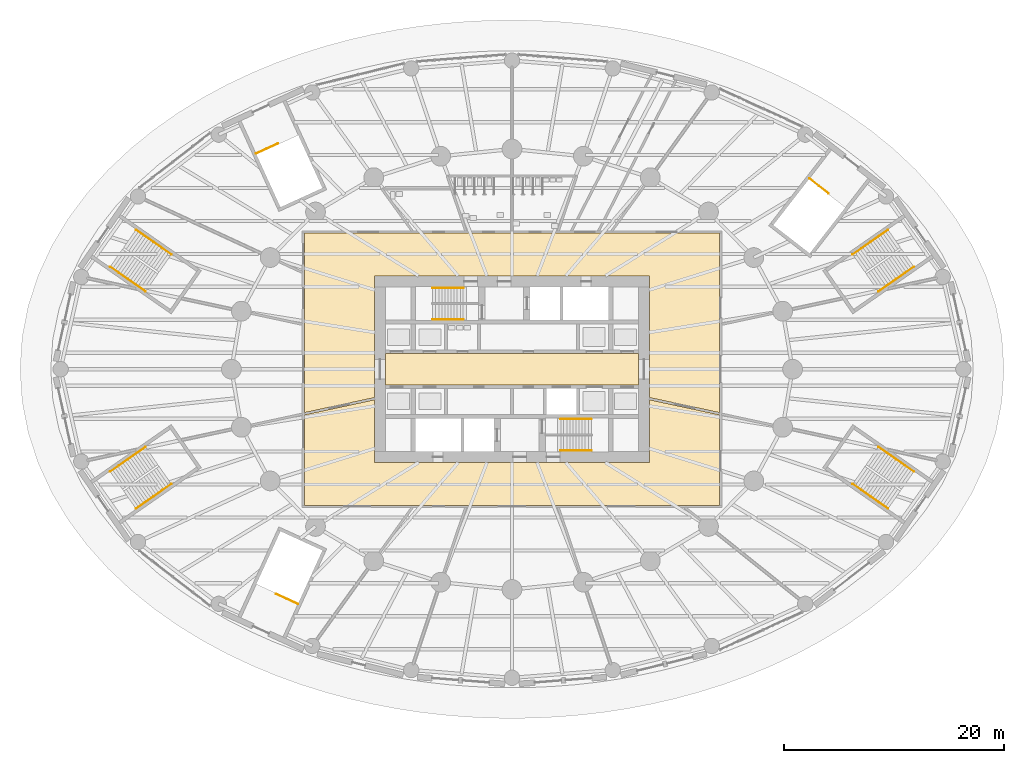
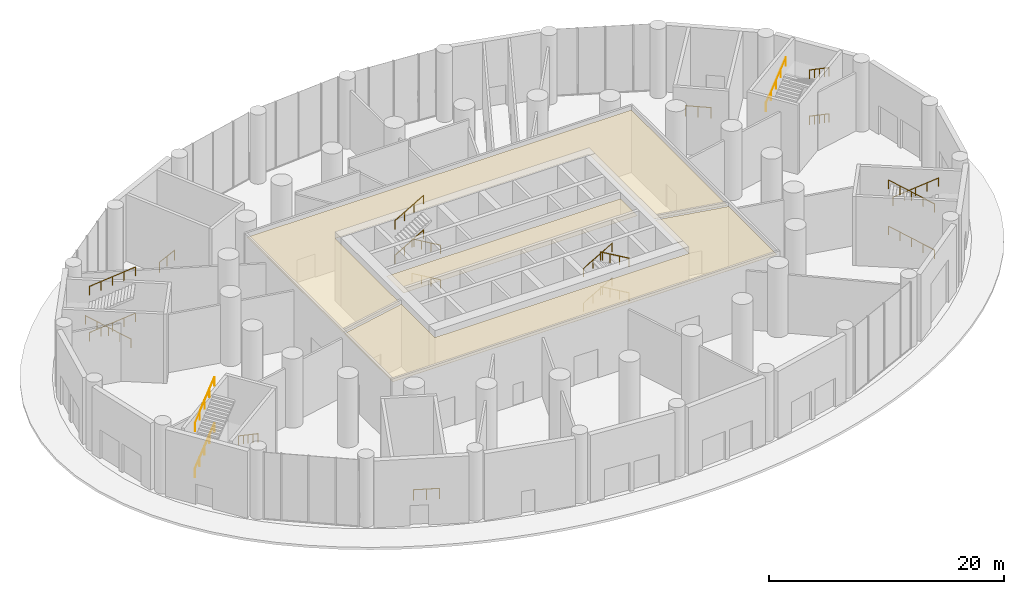
# One storey, part 19 of 22: 23 railings, 3 coverings.
"""IFC4 building model written with IfcOpenShell, lengths in metres."""

import ifcopenshell
import ifcopenshell.guid

model = None  # the IFC model being written
_history = None  # IfcOwnerHistory: only IFC2X3 demands one
_inside = {}  # id of a spatial element -> (the spatial element, [elements in it])
_under = {}  # id of a project, library or spatial element -> (it, [spatial elements below it])
_declared = {}  # id of a project -> (the project, [libraries it declares])
_typed = {}  # id of a type object -> (the type object, [elements of that type])
_made_of = {}  # id of a material, layer set ... -> (it, [elements and type objects made of it])


def new_model(schema):
    """Start an empty IFC model of exactly this schema.

    Asked for "IFC4X3", IfcOpenShell would pick the latest addendum, in which some entities
    have other attributes; the version numbers below select the first issue.
    IFC2X3 requires an IfcOwnerHistory on every rooted entity: one is made here for all.
    """
    global model, _history
    if schema == "IFC4X3":
        model = ifcopenshell.file(schema_version=(4, 3, 0, 0))
    else:
        model = ifcopenshell.file(schema=schema)
    _inside.clear()
    _under.clear()
    _declared.clear()
    _typed.clear()
    _made_of.clear()
    _history = None
    if model.schema == "IFC2X3":
        org = make("IfcOrganization", Name="unknown")
        user = make(
            "IfcPersonAndOrganization",
            ThePerson=make("IfcPerson", FamilyName="unknown"),
            TheOrganization=org,
        )
        app = make(
            "IfcApplication",
            ApplicationDeveloper=org,
            Version="unknown",
            ApplicationFullName="unknown",
            ApplicationIdentifier="unknown",
        )
        _history = make(
            "IfcOwnerHistory",
            OwningUser=user,
            OwningApplication=app,
            ChangeAction="ADDED",
            CreationDate=0,
        )
    return model


def make(cls, **values):
    """One entity of the class cls with the attributes given. An attribute that is None is left unset."""
    return model.create_entity(
        cls, **{name: value for name, value in values.items() if value is not None}
    )


def rooted(cls, **values):
    """An entity with a GlobalId (a new one), such as an element, a storey or a relation."""
    return make(cls, GlobalId=ifcopenshell.guid.new(), OwnerHistory=_history, **values)


def si_unit(unit_type, name, prefix=None):
    """IfcSIUnit, for example si_unit("LENGTHUNIT", "METRE", prefix="MILLI")."""
    return make("IfcSIUnit", UnitType=unit_type, Prefix=prefix, Name=name)


def assignment(units):
    """IfcUnitAssignment: the units of a project."""
    return None if units is None else make("IfcUnitAssignment", Units=units)


def point(xyz):
    """IfcCartesianPoint."""
    return None if xyz is None else make("IfcCartesianPoint", Coordinates=xyz)


def direction(xyz):
    """IfcDirection."""
    return None if xyz is None else make("IfcDirection", DirectionRatios=xyz)


def frame(location, z_axis=None, x_axis=None):
    """IfcAxis2Placement3D, a coordinate frame: its origin and axes. An axis left out is left unset."""
    return make(
        "IfcAxis2Placement3D",
        Location=point(location),
        Axis=direction(z_axis),
        RefDirection=direction(x_axis),
    )


def frame_2d(location, x_axis=None):
    """IfcAxis2Placement2D, a coordinate frame in the plane: its origin and x axis."""
    return make(
        "IfcAxis2Placement2D", Location=point(location), RefDirection=direction(x_axis)
    )


def origin():
    """The frame at (0, 0, 0) with its axes left unset."""
    return frame((0.0, 0.0, 0.0))


def origin_2d():
    """The frame at (0, 0) in the plane with its x axis left unset."""
    return frame_2d((0.0, 0.0))


def place(relative_to, where):
    """IfcLocalPlacement: puts the frame where relative to a parent placement (None: the world)."""
    return make(
        "IfcLocalPlacement", PlacementRelTo=relative_to, RelativePlacement=where
    )


def context(
    kind, dimensions, precision=None, world=None, true_north=None, identifier=None
):
    """IfcGeometricRepresentationContext, for example the 3D "Model" context."""
    return make(
        "IfcGeometricRepresentationContext",
        ContextIdentifier=identifier,
        ContextType=kind,
        CoordinateSpaceDimension=dimensions,
        Precision=precision,
        WorldCoordinateSystem=world,
        TrueNorth=true_north,
    )


def subcontext(parent, identifier, kind, view, scale=None):
    """IfcGeometricRepresentationSubContext, for example "Body" below "Model"."""
    return make(
        "IfcGeometricRepresentationSubContext",
        ContextIdentifier=identifier,
        ContextType=kind,
        ParentContext=parent,
        TargetScale=scale,
        TargetView=view,
    )


def project(units=None, contexts=None):
    """IfcProject with its units and contexts."""
    return rooted(
        "IfcProject",
        Name="project",
        RepresentationContexts=contexts,
        UnitsInContext=assignment(units),
    )


def spatial(cls, under=None, at=None, **own):
    """A site, building, storey or space (cls), placed at a placement, below another one or the project."""
    s = rooted(cls, ObjectPlacement=at, **own)
    if under is not None:
        _under.setdefault(under.id(), (under, []))[1].append(s)
    return s


def polyline(points):
    """IfcPolyline through the points."""
    return make("IfcPolyline", Points=[point(p) for p in points])


def profile(cls, at=None, kind="AREA", **sizes):
    """A parametric profile (cls). Its sizes go by their IFC names, for example OverallWidth=200.0."""
    return make(cls, ProfileType=kind, Position=at, **sizes)


def circle(**sizes):
    """IfcCircleProfileDef."""
    return profile("IfcCircleProfileDef", **sizes)


def outline(outer, holes=None, kind="AREA"):
    """IfcArbitraryClosedProfileDef: a profile drawn as a closed curve; with holes, ...WithVoids."""
    if holes is None:
        return make("IfcArbitraryClosedProfileDef", ProfileType=kind, OuterCurve=outer)
    return make(
        "IfcArbitraryProfileDefWithVoids",
        ProfileType=kind,
        OuterCurve=outer,
        InnerCurves=holes,
    )


def extrude(swept, where, along, depth):
    """IfcExtrudedAreaSolid: the profile swept, set in the frame where, extruded along a direction by depth."""
    return make(
        "IfcExtrudedAreaSolid",
        SweptArea=swept,
        Position=where,
        ExtrudedDirection=direction(along),
        Depth=depth,
    )


def shape(context_of_items, identifier, shape_type, items):
    """IfcShapeRepresentation: the items that make up one representation, for example the "Body"."""
    return make(
        "IfcShapeRepresentation",
        ContextOfItems=context_of_items,
        RepresentationIdentifier=identifier,
        RepresentationType=shape_type,
        Items=items,
    )


def material(Name=None, Category=None):
    """IfcMaterial."""
    return make("IfcMaterial", Name=Name, Category=Category)


def layer(
    of_material, thickness, ventilated=None, Name=None, Category=None, Priority=None
):
    """IfcMaterialLayer: one layer of a wall or slab, of a material (None: an air gap)."""
    return make(
        "IfcMaterialLayer",
        Material=of_material,
        LayerThickness=thickness,
        IsVentilated=ventilated,
        Name=Name,
        Category=Category,
        Priority=Priority,
    )


def layer_set(layers, Name=None):
    """IfcMaterialLayerSet."""
    return make("IfcMaterialLayerSet", MaterialLayers=layers, LayerSetName=Name)


def made_of(thing, what):
    """Note that an element or type object is made of a material, layer set ...; save() writes the relation."""
    if what is not None:
        _made_of.setdefault(what.id(), (what, []))[1].append(thing)
    return thing


def type_object(cls, material=None, **own):
    """A type object (cls), such as IfcWallType, which elements share."""
    return made_of(rooted(cls, **own), material)


def element(
    cls,
    number,
    at=None,
    inside=None,
    cuts=None,
    type_object=None,
    material=None,
    context=None,
    identifier="Body",
    shape_type=None,
    held_by="IfcProductDefinitionShape",
    body=None,
    shapes=None,
    **own,
):
    """One element of the class cls, such as IfcWall. Its Tag is "e" and its number.

    at: its placement. inside: the storey or other place that contains it. cuts: it is an
    opening in that element (IfcRelVoidsElement). A single representation is given by context,
    identifier, shape_type and body (its items); several are given by shapes. held_by: the class
    of the entity that holds the representations. save() writes the other relations.
    """
    e = rooted(cls, Tag="e%d" % number, ObjectPlacement=at, **own)
    if body is not None:
        shapes = [shape(context, identifier, shape_type, body)]
    if shapes is not None:
        e.Representation = make(held_by, Representations=shapes)
    if inside is not None:
        _inside.setdefault(inside.id(), (inside, []))[1].append(e)
    if cuts is not None:
        rooted(
            "IfcRelVoidsElement", RelatingBuildingElement=cuts, RelatedOpeningElement=e
        )
    if type_object is not None:
        _typed.setdefault(type_object.id(), (type_object, []))[1].append(e)
    return made_of(e, material)


def aggregate(whole, parts):
    """IfcRelAggregates: a whole, such as a stair, and the parts it consists of."""
    return rooted("IfcRelAggregates", RelatingObject=whole, RelatedObjects=parts)


def save(model, path):
    """Write the relations noted so far, then the file.

    IfcRelAggregates (storeys below a building ...), IfcRelContainedInSpatialStructure (elements
    in a storey), IfcRelDefinesByType, IfcRelAssociatesMaterial and IfcRelDeclares: one each for
    every whole, place, type object, material and project.
    """
    for whole, parts in _under.values():
        aggregate(whole, parts)
    for where, things in _inside.values():
        rooted(
            "IfcRelContainedInSpatialStructure",
            RelatedElements=things,
            RelatingStructure=where,
        )
    for kind, things in _typed.values():
        rooted("IfcRelDefinesByType", RelatedObjects=things, RelatingType=kind)
    for what, things in _made_of.values():
        rooted("IfcRelAssociatesMaterial", RelatedObjects=things, RelatingMaterial=what)
    for by, libraries in _declared.values():
        rooted("IfcRelDeclares", RelatingContext=by, RelatedDefinitions=libraries)
    model.write(path)


model = new_model("IFC4")

# Units and contexts
model_context = context("Model", 3, precision=1e-05, world=origin(), true_north=direction((0.0, 1.0)))
body_context = subcontext(model_context, "Body", "Model", "MODEL_VIEW")
ifc_project = project(units=[si_unit("LENGTHUNIT", "METRE"), si_unit("AREAUNIT", "SQUARE_METRE"), si_unit("VOLUMEUNIT", "CUBIC_METRE"), si_unit("PLANEANGLEUNIT", "RADIAN"), si_unit("MASSUNIT", "GRAM", prefix="KILO")], contexts=[model_context])

# Site, building, storey
site_placement = place(None, origin())
site = spatial("IfcSite", under=ifc_project, at=site_placement, CompositionType="ELEMENT")
building_placement = place(site_placement, origin())
building = spatial("IfcBuilding", under=site, at=building_placement, Name="Hankou Lantern Tower", CompositionType="ELEMENT")
storey_placement = place(building_placement, origin())
storey = spatial("IfcBuildingStorey", under=building, at=storey_placement, Name="L00", CompositionType="ELEMENT", Elevation=0.0)

# Coverings
ifc_material_1 = material(Name="Black painted aluminium linear ceiling panels", Category="aluminium")
ifc_layer_1 = layer(ifc_material_1, 0.02490234375)
ifc_layer_set_1 = layer_set([ifc_layer_1], Name="Black painted aluminium linear ceiling panels")
covering_type_1 = type_object("IfcCoveringType", Name="CL1 CORRIDOR CEILING 25", PredefinedType="CEILING", material=ifc_layer_set_1)
covering_1_placement = place(storey_placement, frame((0.0, 0.0, 6.47509765625)))
element("IfcCovering", 1, at=covering_1_placement, inside=storey, type_object=covering_type_1, Name="Corridor ceiling L00", PredefinedType="CEILING", context=body_context, shape_type="SweptSolid", body=[
    extrude(outline(polyline([(-18.89990234375, 12.39990234375), (-18.89990234375, -3.94921875), (-12.5, -2.5771484375), (-12.5, 8.5), (12.5, 8.5), (12.5, -2.5771484375), (18.89990234375, -3.94921875), (18.89990234375, 12.39990234375), (-18.89990234375, 12.39990234375)])), origin(), (0.0, 0.0, 1.0), 0.02490234375),
])
covering_2_placement = place(storey_placement, frame((0.0, 0.0, 6.47509765625)))
element("IfcCovering", 2, at=covering_2_placement, inside=storey, type_object=covering_type_1, Name="Corridor ceiling L00", PredefinedType="CEILING", context=body_context, shape_type="SweptSolid", body=[
    extrude(outline(polyline([(18.89990234375, -4.153564453125), (12.5, -2.78173828125), (12.5, -8.5), (-12.5, -8.5), (-12.5, -2.78173828125), (-18.89990234375, -4.153564453125), (-18.89990234375, -12.39990234375), (18.89990234375, -12.39990234375), (18.89990234375, -4.153564453125)])), origin(), (0.0, 0.0, 1.0), 0.02490234375),
])
ifc_material_2 = material(Name="Perforated black aluminium acoustic tray ceiling", Category="aluminium")
ifc_layer_2 = layer(ifc_material_2, 0.014892578125)
ifc_layer_set_2 = layer_set([ifc_layer_2], Name="Perforated black aluminium acoustic tray ceiling")
covering_type_2 = type_object("IfcCoveringType", Name="CL2 LIFT LOBBY CEILING 15", PredefinedType="CEILING", material=ifc_layer_set_2)
covering_3_placement = place(storey_placement, frame((0.0, 0.0, 6.485107421875)))
element("IfcCovering", 3, at=covering_3_placement, inside=storey, type_object=covering_type_2, Name="Lift lobby ceiling L00", PredefinedType="CEILING", context=body_context, shape_type="SweptSolid", body=[
    extrude(outline(polyline([(-11.5, -1.449951171875), (11.5, -1.449951171875), (11.5, 1.449951171875), (-11.5, 1.449951171875), (-11.5, -1.449951171875)])), origin(), (0.0, 0.0, 1.0), 0.014892578125),
])

# Railings
ifc_material_3 = material(Name="Stainless steel and laminated glass guard", Category="steel")
railing_type_1 = type_object("IfcRailingType", Name="GR1 GUARD 1100", PredefinedType="GUARDRAIL", material=ifc_material_3)
railing_1_placement = place(storey_placement, frame((27.08154296875, 17.36474609375, 0.0)))
element("IfcRailing", 4, at=railing_1_placement, inside=storey, type_object=railing_type_1, Name="Stair BS1 well guard L00", PredefinedType="GUARDRAIL", context=body_context, shape_type="SweptSolid", body=[
    extrude(circle(Radius=0.02392578125, at=origin_2d()), frame((0.0, 0.0, 1.076171875), z_axis=(0.790146312057, -0.612918269872, 0.0), x_axis=(0.612918269872, 0.790146312057, 0.0)), (0.0, 0.0, 1.0), 2.199951171875),
    extrude(circle(Radius=0.02099609375, at=origin_2d()), origin(), (0.0, 0.0, 1.0), 1.052001953125),
    extrude(circle(Radius=0.02099609375, at=origin_2d()), frame((0.869140625, -0.67431640625, 0.0)), (0.0, 0.0, 1.0), 1.052001953125),
    extrude(circle(Radius=0.02099609375, at=origin_2d()), frame((1.73828125, -1.348388671875, 0.0)), (0.0, 0.0, 1.0), 1.052001953125),
])
railing_2_placement = place(storey_placement, frame((-23.31298828125, 19.6376953125, 0.0)))
element("IfcRailing", 5, at=railing_2_placement, inside=storey, type_object=railing_type_1, Name="Stair BS2 well guard L00", PredefinedType="GUARDRAIL", context=body_context, shape_type="SweptSolid", body=[
    extrude(circle(Radius=0.02392578125, at=origin_2d()), frame((0.0, 0.0, 1.076171875), z_axis=(0.909650632847, 0.415374200164, 0.0), x_axis=(-0.415374200164, 0.909650632847, 0.0)), (0.0, 0.0, 1.0), 2.199951171875),
    extrude(circle(Radius=0.02099609375, at=origin_2d()), origin(), (0.0, 0.0, 1.0), 1.052001953125),
    extrude(circle(Radius=0.02099609375, at=origin_2d()), frame((1.00048828125, 0.45703125, 0.0)), (0.0, 0.0, 1.0), 1.052001953125),
    extrude(circle(Radius=0.02099609375, at=origin_2d()), frame((2.001220703125, 0.913818359375, 0.0)), (0.0, 0.0, 1.0), 1.052001953125),
])
railing_3_placement = place(storey_placement, frame((-19.492431640625, -21.382080078125, 0.0)))
element("IfcRailing", 6, at=railing_3_placement, inside=storey, type_object=railing_type_1, Name="Stair BS3 well guard L00", PredefinedType="GUARDRAIL", context=body_context, shape_type="SweptSolid", body=[
    extrude(circle(Radius=0.02392578125, at=origin_2d()), frame((0.0, 0.0, 1.076171875), z_axis=(-0.90969256101, 0.415282367122, 0.0), x_axis=(-0.415282367122, -0.90969256101, 0.0)), (0.0, 0.0, 1.0), 2.199951171875),
    extrude(circle(Radius=0.02099609375, at=origin_2d()), origin(), (0.0, 0.0, 1.0), 1.052001953125),
    extrude(circle(Radius=0.02099609375, at=origin_2d()), frame((-1.00048828125, 0.456787109375, 0.0)), (0.0, 0.0, 1.0), 1.052001953125),
    extrude(circle(Radius=0.02099609375, at=origin_2d()), frame((-2.001220703125, 0.91357421875, 0.0)), (0.0, 0.0, 1.0), 1.052001953125),
])
ifc_material_4 = material(Name="Steel handrail", Category="steel")
railing_type_2 = type_object("IfcRailingType", Name="HR1 STAIR HANDRAIL", PredefinedType="HANDRAIL", material=ifc_material_4)
railing_4_placement = place(storey_placement, frame((-4.429931640625, 4.550048828125, 0.89990234375)))
element("IfcRailing", 7, at=railing_4_placement, inside=storey, type_object=railing_type_2, Name="Handrail stair STA L00 flight 1", PredefinedType="HANDRAIL", context=body_context, shape_type="SweptSolid", body=[
    extrude(circle(Radius=0.02392578125, at=origin_2d()), frame((0.0, 0.0, 0.8759765625), z_axis=(-0.863360870873, 0.0, 0.504586966384), x_axis=(0.0, -1.0, 0.0)), (0.0, 0.0, 1.0), 3.2431640625),
    extrude(circle(Radius=0.02099609375, at=origin_2d()), origin(), (0.0, 0.0, 1.0), 0.851806640625),
    extrude(circle(Radius=0.02099609375, at=origin_2d()), frame((-0.933349609375, 0.0, 0.54541015625)), (0.0, 0.0, 1.0), 0.851806640625),
    extrude(circle(Radius=0.02099609375, at=origin_2d()), frame((-1.86669921875, 0.0, 1.091064453125)), (0.0, 0.0, 1.0), 0.851806640625),
    extrude(circle(Radius=0.02099609375, at=origin_2d()), frame((-2.800048828125, 0.0, 1.636474609375)), (0.0, 0.0, 1.0), 0.851806640625),
])
railing_5_placement = place(storey_placement, frame((-7.22998046875, 7.39990234375, 2.699951171875)))
element("IfcRailing", 8, at=railing_5_placement, inside=storey, type_object=railing_type_2, Name="Handrail stair STA L00 flight 2", PredefinedType="HANDRAIL", context=body_context, shape_type="SweptSolid", body=[
    extrude(circle(Radius=0.02392578125, at=origin_2d()), frame((0.0, 0.0, 0.8759765625), z_axis=(0.863360870873, 0.0, 0.504586966384), x_axis=(0.0, 1.0, 0.0)), (0.0, 0.0, 1.0), 3.2431640625),
    extrude(circle(Radius=0.02099609375, at=origin_2d()), origin(), (0.0, 0.0, 1.0), 0.851806640625),
    extrude(circle(Radius=0.02099609375, at=origin_2d()), frame((0.933349609375, 0.0, 0.54541015625)), (0.0, 0.0, 1.0), 0.851806640625),
    extrude(circle(Radius=0.02099609375, at=origin_2d()), frame((1.86669921875, 0.0, 1.091064453125)), (0.0, 0.0, 1.0), 0.851806640625),
    extrude(circle(Radius=0.02099609375, at=origin_2d()), frame((2.800048828125, 0.0, 1.636474609375)), (0.0, 0.0, 1.0), 0.851806640625),
])
railing_6_placement = place(storey_placement, frame((-4.429931640625, 4.550048828125, 4.5)))
element("IfcRailing", 9, at=railing_6_placement, inside=storey, type_object=railing_type_2, Name="Handrail stair STA L00 flight 3", PredefinedType="HANDRAIL", context=body_context, shape_type="SweptSolid", body=[
    extrude(circle(Radius=0.02392578125, at=origin_2d()), frame((0.0, 0.0, 0.8759765625), z_axis=(-0.863360870873, 0.0, 0.504586966384), x_axis=(0.0, -1.0, 0.0)), (0.0, 0.0, 1.0), 3.2431640625),
    extrude(circle(Radius=0.02099609375, at=origin_2d()), origin(), (0.0, 0.0, 1.0), 0.851806640625),
    extrude(circle(Radius=0.02099609375, at=origin_2d()), frame((-0.933349609375, 0.0, 0.54541015625)), (0.0, 0.0, 1.0), 0.851806640625),
    extrude(circle(Radius=0.02099609375, at=origin_2d()), frame((-1.86669921875, 0.0, 1.091064453125)), (0.0, 0.0, 1.0), 0.851806640625),
    extrude(circle(Radius=0.02099609375, at=origin_2d()), frame((-2.800048828125, 0.0, 1.636474609375)), (0.0, 0.0, 1.0), 0.851806640625),
])
railing_7_placement = place(storey_placement, frame((-7.22998046875, 7.39990234375, 6.300048828125)))
element("IfcRailing", 10, at=railing_7_placement, inside=storey, type_object=railing_type_2, Name="Handrail stair STA L00 flight 4", PredefinedType="HANDRAIL", context=body_context, shape_type="SweptSolid", body=[
    extrude(circle(Radius=0.02392578125, at=origin_2d()), frame((0.0, 0.0, 0.8759765625), z_axis=(0.863393664356, 0.0, 0.504530851732), x_axis=(0.0, 1.0, 0.0)), (0.0, 0.0, 1.0), 3.2431640625),
    extrude(circle(Radius=0.02099609375, at=origin_2d()), origin(), (0.0, 0.0, 1.0), 0.851806640625),
    extrude(circle(Radius=0.02099609375, at=origin_2d()), frame((0.933349609375, 0.0, 0.54541015625)), (0.0, 0.0, 1.0), 0.851806640625),
    extrude(circle(Radius=0.02099609375, at=origin_2d()), frame((1.86669921875, 0.0, 1.0908203125)), (0.0, 0.0, 1.0), 0.851806640625),
    extrude(circle(Radius=0.02099609375, at=origin_2d()), frame((2.800048828125, 0.0, 1.63623046875)), (0.0, 0.0, 1.0), 0.851806640625),
])
railing_8_placement = place(storey_placement, frame((4.429931640625, -4.550048828125, 0.89990234375)))
element("IfcRailing", 11, at=railing_8_placement, inside=storey, type_object=railing_type_2, Name="Handrail stair STB L00 flight 1", PredefinedType="HANDRAIL", context=body_context, shape_type="SweptSolid", body=[
    extrude(circle(Radius=0.02392578125, at=origin_2d()), frame((0.0, 0.0, 0.8759765625), z_axis=(0.863360870873, 0.0, 0.504586966384), x_axis=(0.0, 1.0, 0.0)), (0.0, 0.0, 1.0), 3.2431640625),
    extrude(circle(Radius=0.02099609375, at=origin_2d()), origin(), (0.0, 0.0, 1.0), 0.851806640625),
    extrude(circle(Radius=0.02099609375, at=origin_2d()), frame((0.933349609375, 0.0, 0.54541015625)), (0.0, 0.0, 1.0), 0.851806640625),
    extrude(circle(Radius=0.02099609375, at=origin_2d()), frame((1.86669921875, 0.0, 1.091064453125)), (0.0, 0.0, 1.0), 0.851806640625),
    extrude(circle(Radius=0.02099609375, at=origin_2d()), frame((2.800048828125, 0.0, 1.636474609375)), (0.0, 0.0, 1.0), 0.851806640625),
])
railing_9_placement = place(storey_placement, frame((7.22998046875, -7.39990234375, 2.699951171875)))
element("IfcRailing", 12, at=railing_9_placement, inside=storey, type_object=railing_type_2, Name="Handrail stair STB L00 flight 2", PredefinedType="HANDRAIL", context=body_context, shape_type="SweptSolid", body=[
    extrude(circle(Radius=0.02392578125, at=origin_2d()), frame((0.0, 0.0, 0.8759765625), z_axis=(-0.863360870873, 0.0, 0.504586966384), x_axis=(0.0, -1.0, 0.0)), (0.0, 0.0, 1.0), 3.2431640625),
    extrude(circle(Radius=0.02099609375, at=origin_2d()), origin(), (0.0, 0.0, 1.0), 0.851806640625),
    extrude(circle(Radius=0.02099609375, at=origin_2d()), frame((-0.933349609375, 0.0, 0.54541015625)), (0.0, 0.0, 1.0), 0.851806640625),
    extrude(circle(Radius=0.02099609375, at=origin_2d()), frame((-1.86669921875, 0.0, 1.091064453125)), (0.0, 0.0, 1.0), 0.851806640625),
    extrude(circle(Radius=0.02099609375, at=origin_2d()), frame((-2.800048828125, 0.0, 1.636474609375)), (0.0, 0.0, 1.0), 0.851806640625),
])
railing_10_placement = place(storey_placement, frame((4.429931640625, -4.550048828125, 4.5)))
element("IfcRailing", 13, at=railing_10_placement, inside=storey, type_object=railing_type_2, Name="Handrail stair STB L00 flight 3", PredefinedType="HANDRAIL", context=body_context, shape_type="SweptSolid", body=[
    extrude(circle(Radius=0.02392578125, at=origin_2d()), frame((0.0, 0.0, 0.8759765625), z_axis=(0.863360870873, 0.0, 0.504586966384), x_axis=(0.0, 1.0, 0.0)), (0.0, 0.0, 1.0), 3.2431640625),
    extrude(circle(Radius=0.02099609375, at=origin_2d()), origin(), (0.0, 0.0, 1.0), 0.851806640625),
    extrude(circle(Radius=0.02099609375, at=origin_2d()), frame((0.933349609375, 0.0, 0.54541015625)), (0.0, 0.0, 1.0), 0.851806640625),
    extrude(circle(Radius=0.02099609375, at=origin_2d()), frame((1.86669921875, 0.0, 1.091064453125)), (0.0, 0.0, 1.0), 0.851806640625),
    extrude(circle(Radius=0.02099609375, at=origin_2d()), frame((2.800048828125, 0.0, 1.636474609375)), (0.0, 0.0, 1.0), 0.851806640625),
])
railing_11_placement = place(storey_placement, frame((7.22998046875, -7.39990234375, 6.300048828125)))
element("IfcRailing", 14, at=railing_11_placement, inside=storey, type_object=railing_type_2, Name="Handrail stair STB L00 flight 4", PredefinedType="HANDRAIL", context=body_context, shape_type="SweptSolid", body=[
    extrude(circle(Radius=0.02392578125, at=origin_2d()), frame((0.0, 0.0, 0.8759765625), z_axis=(-0.863393664356, 0.0, 0.504530851732), x_axis=(0.0, -1.0, 0.0)), (0.0, 0.0, 1.0), 3.2431640625),
    extrude(circle(Radius=0.02099609375, at=origin_2d()), origin(), (0.0, 0.0, 1.0), 0.851806640625),
    extrude(circle(Radius=0.02099609375, at=origin_2d()), frame((-0.933349609375, 0.0, 0.54541015625)), (0.0, 0.0, 1.0), 0.851806640625),
    extrude(circle(Radius=0.02099609375, at=origin_2d()), frame((-1.86669921875, 0.0, 1.0908203125)), (0.0, 0.0, 1.0), 0.851806640625),
    extrude(circle(Radius=0.02099609375, at=origin_2d()), frame((-2.800048828125, 0.0, 1.63623046875)), (0.0, 0.0, 1.0), 0.851806640625),
])
railing_12_placement = place(storey_placement, frame((36.584228515625, 9.324462890625, 0.89990234375)))
element("IfcRailing", 15, at=railing_12_placement, inside=storey, type_object=railing_type_2, Name="Handrail stair P1 L00 flight 1", PredefinedType="HANDRAIL", context=body_context, shape_type="SweptSolid", body=[
    extrude(circle(Radius=0.02392578125, at=origin_2d()), frame((0.0, 0.0, 0.8759765625), z_axis=(-0.712757326376, -0.495810023939, 0.49613447155), x_axis=(0.571048065126, -0.820916626288, 0.0)), (0.0, 0.0, 1.0), 4.514892578125),
    extrude(circle(Radius=0.02099609375, at=origin_2d()), origin(), (0.0, 0.0, 1.0), 0.851806640625),
    extrude(circle(Radius=0.02099609375, at=origin_2d()), frame((-0.804443359375, -0.5595703125, 0.56005859375)), (0.0, 0.0, 1.0), 0.851806640625),
    extrude(circle(Radius=0.02099609375, at=origin_2d()), frame((-1.60888671875, -1.119140625, 1.1201171875)), (0.0, 0.0, 1.0), 0.851806640625),
    extrude(circle(Radius=0.02099609375, at=origin_2d()), frame((-2.41357421875, -1.678955078125, 1.679931640625)), (0.0, 0.0, 1.0), 0.851806640625),
    extrude(circle(Radius=0.02099609375, at=origin_2d()), frame((-3.218017578125, -2.238525390625, 2.239990234375)), (0.0, 0.0, 1.0), 0.851806640625),
])
railing_13_placement = place(storey_placement, frame((31.02490234375, 10.451904296875, 3.300048828125)))
element("IfcRailing", 16, at=railing_13_placement, inside=storey, type_object=railing_type_2, Name="Handrail stair P1 L00 flight 2", PredefinedType="HANDRAIL", context=body_context, shape_type="SweptSolid", body=[
    extrude(circle(Radius=0.02392578125, at=origin_2d()), frame((0.0, 0.0, 0.8759765625), z_axis=(0.712776435646, 0.495769240725, 0.496147773086), x_axis=(-0.571006091938, 0.820945822189, 0.0)), (0.0, 0.0, 1.0), 4.5146484375),
    extrude(circle(Radius=0.02099609375, at=origin_2d()), origin(), (0.0, 0.0, 1.0), 0.851806640625),
    extrude(circle(Radius=0.02099609375, at=origin_2d()), frame((0.804443359375, 0.5595703125, 0.56005859375)), (0.0, 0.0, 1.0), 0.851806640625),
    extrude(circle(Radius=0.02099609375, at=origin_2d()), frame((1.60888671875, 1.119140625, 1.1201171875)), (0.0, 0.0, 1.0), 0.851806640625),
    extrude(circle(Radius=0.02099609375, at=origin_2d()), frame((2.41357421875, 1.6787109375, 1.679931640625)), (0.0, 0.0, 1.0), 0.851806640625),
    extrude(circle(Radius=0.02099609375, at=origin_2d()), frame((3.218017578125, 2.23828125, 2.239990234375)), (0.0, 0.0, 1.0), 0.851806640625),
])
railing_14_placement = place(storey_placement, frame((36.584228515625, 9.324462890625, 5.699951171875)))
element("IfcRailing", 17, at=railing_14_placement, inside=storey, type_object=railing_type_2, Name="Handrail stair P1 L00 flight 3", PredefinedType="HANDRAIL", context=body_context, shape_type="SweptSolid", body=[
    extrude(circle(Radius=0.02392578125, at=origin_2d()), frame((0.0, 0.0, 0.8759765625), z_axis=(-0.712757326376, -0.495810023939, 0.49613447155), x_axis=(0.571048065126, -0.820916626288, 0.0)), (0.0, 0.0, 1.0), 4.514892578125),
    extrude(circle(Radius=0.02099609375, at=origin_2d()), origin(), (0.0, 0.0, 1.0), 0.851806640625),
    extrude(circle(Radius=0.02099609375, at=origin_2d()), frame((-0.804443359375, -0.5595703125, 0.56005859375)), (0.0, 0.0, 1.0), 0.851806640625),
    extrude(circle(Radius=0.02099609375, at=origin_2d()), frame((-1.60888671875, -1.119140625, 1.1201171875)), (0.0, 0.0, 1.0), 0.851806640625),
    extrude(circle(Radius=0.02099609375, at=origin_2d()), frame((-2.41357421875, -1.678955078125, 1.679931640625)), (0.0, 0.0, 1.0), 0.851806640625),
    extrude(circle(Radius=0.02099609375, at=origin_2d()), frame((-3.218017578125, -2.238525390625, 2.239990234375)), (0.0, 0.0, 1.0), 0.851806640625),
])
railing_15_placement = place(storey_placement, frame((-34.242919921875, 12.690185546875, 0.89990234375)))
element("IfcRailing", 18, at=railing_15_placement, inside=storey, type_object=railing_type_2, Name="Handrail stair P2 L00 flight 1", PredefinedType="HANDRAIL", context=body_context, shape_type="SweptSolid", body=[
    extrude(circle(Radius=0.02392578125, at=origin_2d()), frame((0.0, 0.0, 0.8759765625), z_axis=(0.712776435646, -0.495769240725, 0.496147773086), x_axis=(0.571006091938, 0.820945822189, 0.0)), (0.0, 0.0, 1.0), 4.5146484375),
    extrude(circle(Radius=0.02099609375, at=origin_2d()), origin(), (0.0, 0.0, 1.0), 0.851806640625),
    extrude(circle(Radius=0.02099609375, at=origin_2d()), frame((0.804443359375, -0.5595703125, 0.56005859375)), (0.0, 0.0, 1.0), 0.851806640625),
    extrude(circle(Radius=0.02099609375, at=origin_2d()), frame((1.60888671875, -1.119140625, 1.1201171875)), (0.0, 0.0, 1.0), 0.851806640625),
    extrude(circle(Radius=0.02099609375, at=origin_2d()), frame((2.41357421875, -1.6787109375, 1.679931640625)), (0.0, 0.0, 1.0), 0.851806640625),
    extrude(circle(Radius=0.02099609375, at=origin_2d()), frame((3.218017578125, -2.23828125, 2.239990234375)), (0.0, 0.0, 1.0), 0.851806640625),
])
railing_16_placement = place(storey_placement, frame((-33.3662109375, 7.0859375, 3.300048828125)))
element("IfcRailing", 19, at=railing_16_placement, inside=storey, type_object=railing_type_2, Name="Handrail stair P2 L00 flight 2", PredefinedType="HANDRAIL", context=body_context, shape_type="SweptSolid", body=[
    extrude(circle(Radius=0.02392578125, at=origin_2d()), frame((0.0, 0.0, 0.8759765625), z_axis=(-0.712757326376, 0.495810023939, 0.49613447155), x_axis=(-0.571048065126, -0.820916626288, 0.0)), (0.0, 0.0, 1.0), 4.514892578125),
    extrude(circle(Radius=0.02099609375, at=origin_2d()), origin(), (0.0, 0.0, 1.0), 0.851806640625),
    extrude(circle(Radius=0.02099609375, at=origin_2d()), frame((-0.804443359375, 0.5595703125, 0.56005859375)), (0.0, 0.0, 1.0), 0.851806640625),
    extrude(circle(Radius=0.02099609375, at=origin_2d()), frame((-1.60888671875, 1.119140625, 1.1201171875)), (0.0, 0.0, 1.0), 0.851806640625),
    extrude(circle(Radius=0.02099609375, at=origin_2d()), frame((-2.41357421875, 1.678955078125, 1.679931640625)), (0.0, 0.0, 1.0), 0.851806640625),
    extrude(circle(Radius=0.02099609375, at=origin_2d()), frame((-3.218017578125, 2.238525390625, 2.239990234375)), (0.0, 0.0, 1.0), 0.851806640625),
])
railing_17_placement = place(storey_placement, frame((-34.242919921875, 12.690185546875, 5.699951171875)))
element("IfcRailing", 20, at=railing_17_placement, inside=storey, type_object=railing_type_2, Name="Handrail stair P2 L00 flight 3", PredefinedType="HANDRAIL", context=body_context, shape_type="SweptSolid", body=[
    extrude(circle(Radius=0.02392578125, at=origin_2d()), frame((0.0, 0.0, 0.8759765625), z_axis=(0.712776435646, -0.495769240725, 0.496147773086), x_axis=(0.571006091938, 0.820945822189, 0.0)), (0.0, 0.0, 1.0), 4.5146484375),
    extrude(circle(Radius=0.02099609375, at=origin_2d()), origin(), (0.0, 0.0, 1.0), 0.851806640625),
    extrude(circle(Radius=0.02099609375, at=origin_2d()), frame((0.804443359375, -0.5595703125, 0.56005859375)), (0.0, 0.0, 1.0), 0.851806640625),
    extrude(circle(Radius=0.02099609375, at=origin_2d()), frame((1.60888671875, -1.119140625, 1.1201171875)), (0.0, 0.0, 1.0), 0.851806640625),
    extrude(circle(Radius=0.02099609375, at=origin_2d()), frame((2.41357421875, -1.6787109375, 1.679931640625)), (0.0, 0.0, 1.0), 0.851806640625),
    extrude(circle(Radius=0.02099609375, at=origin_2d()), frame((3.218017578125, -2.23828125, 2.239990234375)), (0.0, 0.0, 1.0), 0.851806640625),
])
railing_18_placement = place(storey_placement, frame((-36.584228515625, -9.324462890625, 0.89990234375)))
element("IfcRailing", 21, at=railing_18_placement, inside=storey, type_object=railing_type_2, Name="Handrail stair P3 L00 flight 1", PredefinedType="HANDRAIL", context=body_context, shape_type="SweptSolid", body=[
    extrude(circle(Radius=0.02392578125, at=origin_2d()), frame((0.0, 0.0, 0.8759765625), z_axis=(0.712757326376, 0.495810023939, 0.49613447155), x_axis=(-0.571048065126, 0.820916626288, 0.0)), (0.0, 0.0, 1.0), 4.514892578125),
    extrude(circle(Radius=0.02099609375, at=origin_2d()), origin(), (0.0, 0.0, 1.0), 0.851806640625),
    extrude(circle(Radius=0.02099609375, at=origin_2d()), frame((0.804443359375, 0.5595703125, 0.56005859375)), (0.0, 0.0, 1.0), 0.851806640625),
    extrude(circle(Radius=0.02099609375, at=origin_2d()), frame((1.60888671875, 1.119140625, 1.1201171875)), (0.0, 0.0, 1.0), 0.851806640625),
    extrude(circle(Radius=0.02099609375, at=origin_2d()), frame((2.41357421875, 1.678955078125, 1.679931640625)), (0.0, 0.0, 1.0), 0.851806640625),
    extrude(circle(Radius=0.02099609375, at=origin_2d()), frame((3.218017578125, 2.238525390625, 2.239990234375)), (0.0, 0.0, 1.0), 0.851806640625),
])
railing_19_placement = place(storey_placement, frame((-31.02490234375, -10.451904296875, 3.300048828125)))
element("IfcRailing", 22, at=railing_19_placement, inside=storey, type_object=railing_type_2, Name="Handrail stair P3 L00 flight 2", PredefinedType="HANDRAIL", context=body_context, shape_type="SweptSolid", body=[
    extrude(circle(Radius=0.02392578125, at=origin_2d()), frame((0.0, 0.0, 0.8759765625), z_axis=(-0.712776435646, -0.495769240725, 0.496147773086), x_axis=(0.571006091938, -0.820945822189, 0.0)), (0.0, 0.0, 1.0), 4.5146484375),
    extrude(circle(Radius=0.02099609375, at=origin_2d()), origin(), (0.0, 0.0, 1.0), 0.851806640625),
    extrude(circle(Radius=0.02099609375, at=origin_2d()), frame((-0.804443359375, -0.5595703125, 0.56005859375)), (0.0, 0.0, 1.0), 0.851806640625),
    extrude(circle(Radius=0.02099609375, at=origin_2d()), frame((-1.60888671875, -1.119140625, 1.1201171875)), (0.0, 0.0, 1.0), 0.851806640625),
    extrude(circle(Radius=0.02099609375, at=origin_2d()), frame((-2.41357421875, -1.6787109375, 1.679931640625)), (0.0, 0.0, 1.0), 0.851806640625),
    extrude(circle(Radius=0.02099609375, at=origin_2d()), frame((-3.218017578125, -2.23828125, 2.239990234375)), (0.0, 0.0, 1.0), 0.851806640625),
])
railing_20_placement = place(storey_placement, frame((-36.584228515625, -9.324462890625, 5.699951171875)))
element("IfcRailing", 23, at=railing_20_placement, inside=storey, type_object=railing_type_2, Name="Handrail stair P3 L00 flight 3", PredefinedType="HANDRAIL", context=body_context, shape_type="SweptSolid", body=[
    extrude(circle(Radius=0.02392578125, at=origin_2d()), frame((0.0, 0.0, 0.8759765625), z_axis=(0.712757326376, 0.495810023939, 0.49613447155), x_axis=(-0.571048065126, 0.820916626288, 0.0)), (0.0, 0.0, 1.0), 4.514892578125),
    extrude(circle(Radius=0.02099609375, at=origin_2d()), origin(), (0.0, 0.0, 1.0), 0.851806640625),
    extrude(circle(Radius=0.02099609375, at=origin_2d()), frame((0.804443359375, 0.5595703125, 0.56005859375)), (0.0, 0.0, 1.0), 0.851806640625),
    extrude(circle(Radius=0.02099609375, at=origin_2d()), frame((1.60888671875, 1.119140625, 1.1201171875)), (0.0, 0.0, 1.0), 0.851806640625),
    extrude(circle(Radius=0.02099609375, at=origin_2d()), frame((2.41357421875, 1.678955078125, 1.679931640625)), (0.0, 0.0, 1.0), 0.851806640625),
    extrude(circle(Radius=0.02099609375, at=origin_2d()), frame((3.218017578125, 2.238525390625, 2.239990234375)), (0.0, 0.0, 1.0), 0.851806640625),
])
railing_21_placement = place(storey_placement, frame((34.242919921875, -12.690185546875, 0.89990234375)))
element("IfcRailing", 24, at=railing_21_placement, inside=storey, type_object=railing_type_2, Name="Handrail stair P4 L00 flight 1", PredefinedType="HANDRAIL", context=body_context, shape_type="SweptSolid", body=[
    extrude(circle(Radius=0.02392578125, at=origin_2d()), frame((0.0, 0.0, 0.8759765625), z_axis=(-0.712776435646, 0.495769240725, 0.496147773086), x_axis=(-0.571006091938, -0.820945822189, 0.0)), (0.0, 0.0, 1.0), 4.5146484375),
    extrude(circle(Radius=0.02099609375, at=origin_2d()), origin(), (0.0, 0.0, 1.0), 0.851806640625),
    extrude(circle(Radius=0.02099609375, at=origin_2d()), frame((-0.804443359375, 0.5595703125, 0.56005859375)), (0.0, 0.0, 1.0), 0.851806640625),
    extrude(circle(Radius=0.02099609375, at=origin_2d()), frame((-1.60888671875, 1.119140625, 1.1201171875)), (0.0, 0.0, 1.0), 0.851806640625),
    extrude(circle(Radius=0.02099609375, at=origin_2d()), frame((-2.41357421875, 1.6787109375, 1.679931640625)), (0.0, 0.0, 1.0), 0.851806640625),
    extrude(circle(Radius=0.02099609375, at=origin_2d()), frame((-3.218017578125, 2.23828125, 2.239990234375)), (0.0, 0.0, 1.0), 0.851806640625),
])
railing_22_placement = place(storey_placement, frame((33.3662109375, -7.0859375, 3.300048828125)))
element("IfcRailing", 25, at=railing_22_placement, inside=storey, type_object=railing_type_2, Name="Handrail stair P4 L00 flight 2", PredefinedType="HANDRAIL", context=body_context, shape_type="SweptSolid", body=[
    extrude(circle(Radius=0.02392578125, at=origin_2d()), frame((0.0, 0.0, 0.8759765625), z_axis=(0.712757326376, -0.495810023939, 0.49613447155), x_axis=(0.571048065126, 0.820916626288, 0.0)), (0.0, 0.0, 1.0), 4.514892578125),
    extrude(circle(Radius=0.02099609375, at=origin_2d()), origin(), (0.0, 0.0, 1.0), 0.851806640625),
    extrude(circle(Radius=0.02099609375, at=origin_2d()), frame((0.804443359375, -0.5595703125, 0.56005859375)), (0.0, 0.0, 1.0), 0.851806640625),
    extrude(circle(Radius=0.02099609375, at=origin_2d()), frame((1.60888671875, -1.119140625, 1.1201171875)), (0.0, 0.0, 1.0), 0.851806640625),
    extrude(circle(Radius=0.02099609375, at=origin_2d()), frame((2.41357421875, -1.678955078125, 1.679931640625)), (0.0, 0.0, 1.0), 0.851806640625),
    extrude(circle(Radius=0.02099609375, at=origin_2d()), frame((3.218017578125, -2.238525390625, 2.239990234375)), (0.0, 0.0, 1.0), 0.851806640625),
])
railing_23_placement = place(storey_placement, frame((34.242919921875, -12.690185546875, 5.699951171875)))
element("IfcRailing", 26, at=railing_23_placement, inside=storey, type_object=railing_type_2, Name="Handrail stair P4 L00 flight 3", PredefinedType="HANDRAIL", context=body_context, shape_type="SweptSolid", body=[
    extrude(circle(Radius=0.02392578125, at=origin_2d()), frame((0.0, 0.0, 0.8759765625), z_axis=(-0.712776435646, 0.495769240725, 0.496147773086), x_axis=(-0.571006091938, -0.820945822189, 0.0)), (0.0, 0.0, 1.0), 4.5146484375),
    extrude(circle(Radius=0.02099609375, at=origin_2d()), origin(), (0.0, 0.0, 1.0), 0.851806640625),
    extrude(circle(Radius=0.02099609375, at=origin_2d()), frame((-0.804443359375, 0.5595703125, 0.56005859375)), (0.0, 0.0, 1.0), 0.851806640625),
    extrude(circle(Radius=0.02099609375, at=origin_2d()), frame((-1.60888671875, 1.119140625, 1.1201171875)), (0.0, 0.0, 1.0), 0.851806640625),
    extrude(circle(Radius=0.02099609375, at=origin_2d()), frame((-2.41357421875, 1.6787109375, 1.679931640625)), (0.0, 0.0, 1.0), 0.851806640625),
    extrude(circle(Radius=0.02099609375, at=origin_2d()), frame((-3.218017578125, 2.23828125, 2.239990234375)), (0.0, 0.0, 1.0), 0.851806640625),
])

save(model, "model.ifc")
